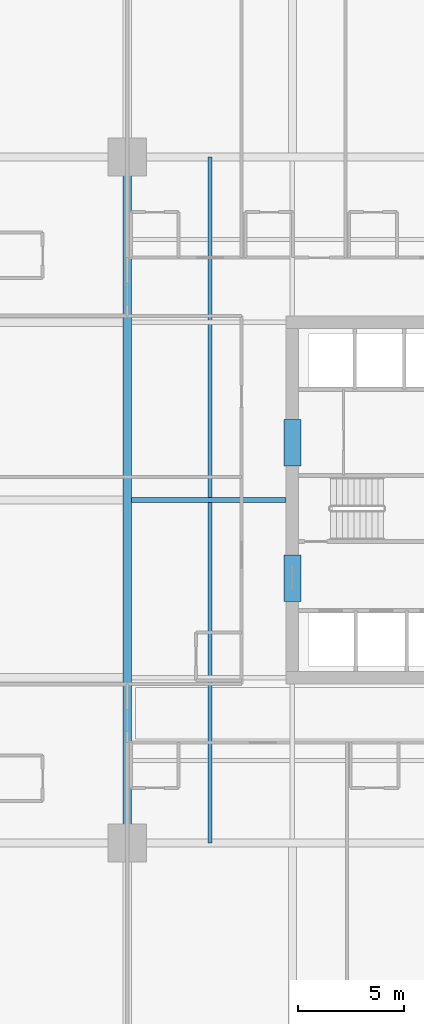
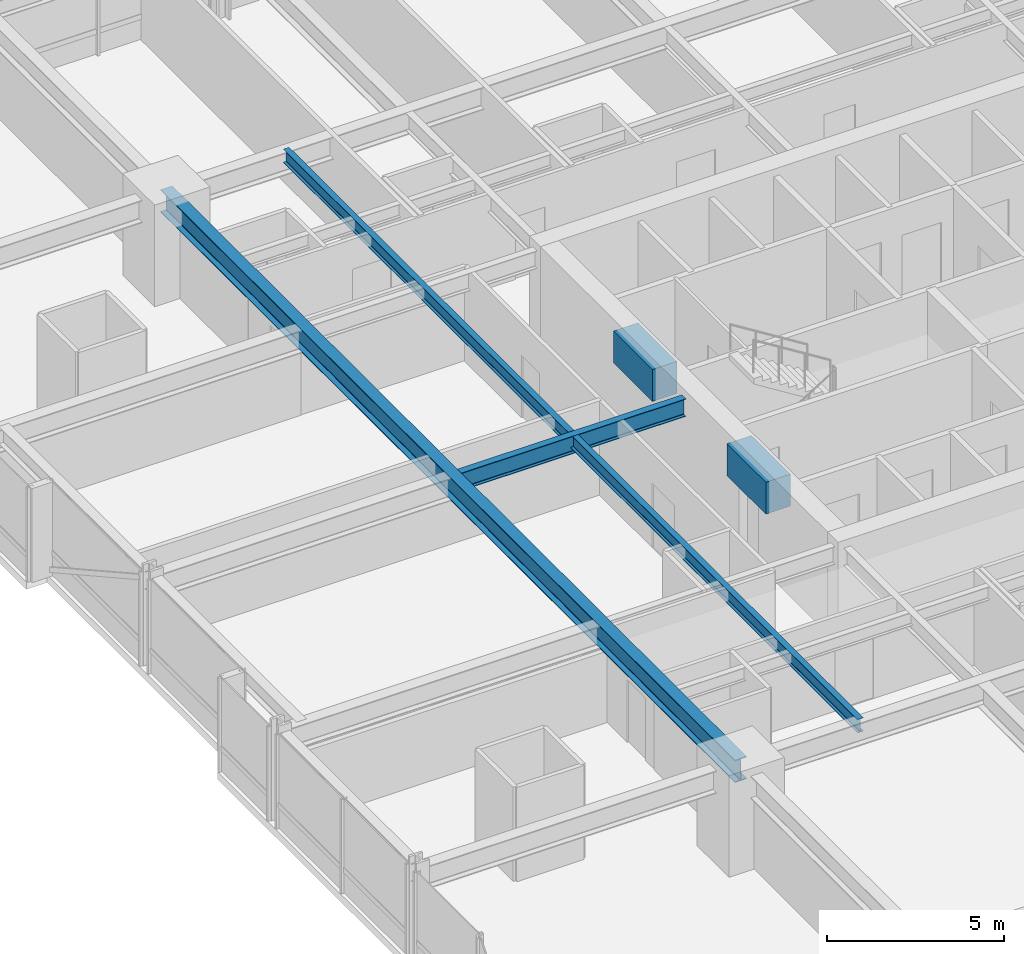
# One storey, part 10 of 38: 5 beams.
"""IFC4 building model written with IfcOpenShell, lengths in metres."""

from ifc_helpers import new_model, si_unit, direction, frame, origin, origin_2d, place, context, subcontext, project, spatial, rectangle, i_section, extrude, material, material_profile, profile_set, type_object, element, save


model = new_model("IFC4")

# Units and contexts
model_context = context("Model", 3, precision=1e-05, world=origin(), true_north=direction((0.0, 1.0)))
body_context = subcontext(model_context, "Body", "Model", "MODEL_VIEW")
ifc_project = project(units=[si_unit("LENGTHUNIT", "METRE"), si_unit("AREAUNIT", "SQUARE_METRE"), si_unit("VOLUMEUNIT", "CUBIC_METRE"), si_unit("PLANEANGLEUNIT", "RADIAN"), si_unit("MASSUNIT", "GRAM", prefix="KILO")], contexts=[model_context])

# Site, building, storey
site_placement = place(None, origin())
site = spatial("IfcSite", under=ifc_project, at=site_placement, CompositionType="ELEMENT")
building_placement = place(site_placement, origin())
building = spatial("IfcBuilding", under=site, at=building_placement, Name="Drelvath Grand Hotel", CompositionType="ELEMENT")
storey_placement = place(building_placement, frame((0.0, 0.0, 64.699951171875)))
storey = spatial("IfcBuildingStorey", under=building, at=storey_placement, Name="L15", CompositionType="ELEMENT", Elevation=64.699951171875)

# Beams
ifc_material_1 = material(Name="Steel ASTM A992 Gr 50", Category="steel")
ifc_material_profile_1 = material_profile(ifc_material_1, i_section(OverallWidth=0.19140625, OverallDepth=0.4599609375, WebThickness=0.010009765625, FlangeThickness=0.01611328125, FilletRadius=0.01611328125, at=origin_2d()), Name="W18X55")
ifc_profile_set_1 = profile_set([ifc_material_profile_1], Name="Steel ASTM A992 Gr 50")
beam_type_1 = type_object("IfcBeamType", Name="Composite Floor Joist W18X55", PredefinedType="JOIST", material=ifc_profile_set_1)
beam_1_placement = place(storey_placement, frame((-12.300048828125, 10.800048828125, 3.010009765625), z_axis=(0.0, 1.0, 0.0), x_axis=(-1.0, 0.0, 0.0)))
element("IfcBeam", 1, at=beam_1_placement, inside=storey, type_object=beam_type_1, Name="L15 Wing Floor Joist J3", PredefinedType="JOIST", context=body_context, shape_type="SweptSolid", body=[
    extrude(i_section(OverallWidth=0.19140625, OverallDepth=0.4599609375, WebThickness=0.010009765625, FlangeThickness=0.01611328125, FilletRadius=0.01611328125, at=origin_2d()), origin(), (0.0, 0.0, 1.0), 32.39990234375),
])
ifc_material_2 = material(Name="Concrete f'c 70 MPa", Category="concrete")
ifc_material_profile_2 = material_profile(ifc_material_2, rectangle(XDim=0.800048828125, YDim=1.10009765625, at=origin_2d()), Name="CB800X1100")
ifc_profile_set_2 = profile_set([ifc_material_profile_2], Name="Concrete f'c 70 MPa")
beam_type_2 = type_object("IfcBeamType", Name="Core Coupling Lintel CB800X1100", PredefinedType="LINTEL", material=ifc_profile_set_2)
for number, where, z_axis, x_axis, name in (
    (2, (-8.39990234375, 22.199951171875, 2.68994140625), (0.0, 1.0, 0.0), (-1.0, 0.0, 0.0), "L15 Core Coupling Lintel WS"),
    (3, (-8.39990234375, 28.60009765625, 2.68994140625), (0.0, 1.0, 0.0), (-1.0, 0.0, 0.0), "L15 Core Coupling Lintel WN"),
):
    element("IfcBeam", number, at=place(storey_placement, frame(where, z_axis=z_axis, x_axis=x_axis)), inside=storey, type_object=beam_type_2, Name=name, PredefinedType="LINTEL", context=body_context, shape_type="SweptSolid", body=[
        extrude(rectangle(XDim=0.800048828125, YDim=1.10009765625, at=origin_2d()), origin(), (0.0, 0.0, 1.0), 2.199951171875),
    ])
ifc_material_profile_3 = material_profile(ifc_material_1, i_section(OverallWidth=0.228271484375, OverallDepth=0.607666015625, WebThickness=0.01123046875, FlangeThickness=0.017333984375, FilletRadius=0.02001953125, at=origin_2d()), Name="W24X76")
ifc_profile_set_3 = profile_set([ifc_material_profile_3], Name="Steel ASTM A992 Gr 50")
beam_type_3 = type_object("IfcBeamType", Name="Primary Floor Girder W24X76", PredefinedType="BEAM", material=ifc_profile_set_3)
beam_2_placement = place(storey_placement, frame((-16.009765625, 27.0, 2.936279296875), z_axis=(1.0, 0.0, 0.0), x_axis=(0.0, 1.0, 0.0)))
element("IfcBeam", 4, at=beam_2_placement, inside=storey, type_object=beam_type_3, Name="L15 West Core Tie E", PredefinedType="BEAM", context=body_context, shape_type="SweptSolid", body=[
    extrude(i_section(OverallWidth=0.228271484375, OverallDepth=0.607666015625, WebThickness=0.01123046875, FlangeThickness=0.017333984375, FilletRadius=0.02001953125, at=origin_2d()), origin(), (0.0, 0.0, 1.0), 7.309814453125),
])
ifc_material_profile_4 = material_profile(ifc_material_1, i_section(OverallWidth=0.380615234375, OverallDepth=0.773193359375, WebThickness=0.0166015625, FlangeThickness=0.027099609375, FilletRadius=0.02490234375, at=origin_2d()), Name="W30X173")
ifc_profile_set_4 = profile_set([ifc_material_profile_4], Name="Steel ASTM A992 Gr 50")
beam_type_4 = type_object("IfcBeamType", Name="Primary Floor Girder W30X173", PredefinedType="BEAM", material=ifc_profile_set_4)
beam_3_placement = place(storey_placement, frame((-16.199951171875, 10.800048828125, 2.853515625), z_axis=(0.0, 1.0, 0.0), x_axis=(-1.0, 0.0, 0.0)))
element("IfcBeam", 5, at=beam_3_placement, inside=storey, type_object=beam_type_4, Name="L15 Mega Ring Girder West", PredefinedType="BEAM", context=body_context, shape_type="SweptSolid", body=[
    extrude(i_section(OverallWidth=0.380615234375, OverallDepth=0.773193359375, WebThickness=0.0166015625, FlangeThickness=0.027099609375, FilletRadius=0.02490234375, at=origin_2d()), origin(), (0.0, 0.0, 1.0), 32.39990234375),
])

save(model, "model.ifc")
